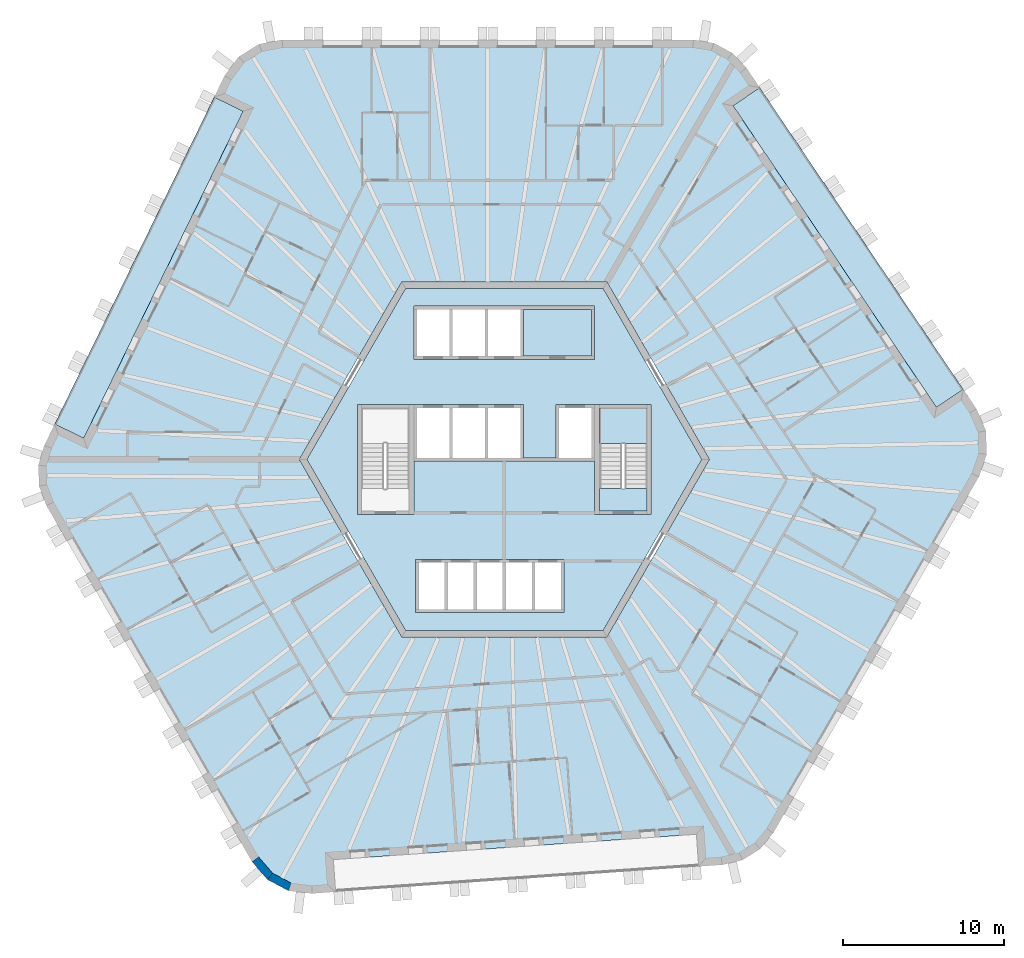
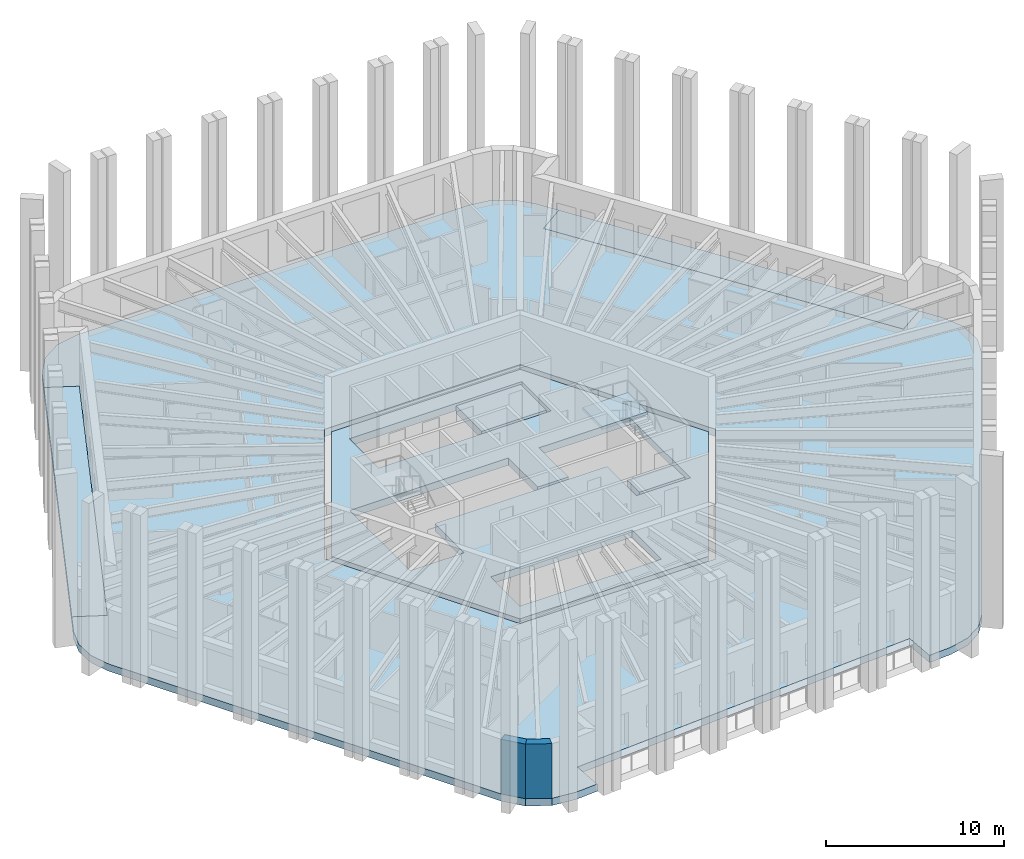
# One storey, part 2 of 13: 7 slabs, 2 walls, 1 element without a shape of its own.
"""IFC4 building model written with IfcOpenShell, lengths in metres."""

from ifc_helpers import new_model, si_unit, direction, frame, origin, place, context, subcontext, project, spatial, polyline, outline, extrude, material, layer, layer_set, type_object, element, aggregate, save


model = new_model("IFC4")

# Units and contexts
model_context = context("Model", 3, precision=1e-05, world=origin(), true_north=direction((0.0, 1.0)))
body_context = subcontext(model_context, "Body", "Model", "MODEL_VIEW")
ifc_project = project(units=[si_unit("LENGTHUNIT", "METRE"), si_unit("AREAUNIT", "SQUARE_METRE"), si_unit("VOLUMEUNIT", "CUBIC_METRE"), si_unit("PLANEANGLEUNIT", "RADIAN"), si_unit("MASSUNIT", "GRAM", prefix="KILO")], contexts=[model_context])

# Site, building, storey
site_placement = place(None, origin())
site = spatial("IfcSite", under=ifc_project, at=site_placement, CompositionType="ELEMENT")
building_placement = place(site_placement, origin())
building = spatial("IfcBuilding", under=site, at=building_placement, Name="Tarnside Tower", CompositionType="ELEMENT")
storey_placement = place(building_placement, frame((0.0, 0.0, 256.199951171875)))
storey = spatial("IfcBuildingStorey", under=building, at=storey_placement, Name="L61", CompositionType="ELEMENT", Elevation=256.199951171875)

# Slabs
ifc_material_1 = material(Name="Concrete C35/45", Category="concrete")
ifc_layer_1 = layer(ifc_material_1, 0.5)
ifc_layer_set_1 = layer_set([ifc_layer_1], Name="Composite floor slab 500")
slab_type_1 = type_object("IfcSlabType", Name="Composite floor slab 500", PredefinedType="FLOOR", material=ifc_layer_set_1)
slab_1_placement = place(storey_placement, frame((0.0, 0.0, -0.5)))
element("IfcSlab", 1, at=slab_1_placement, inside=storey, type_object=slab_type_1, Name="Floor slab L61", PredefinedType="FLOOR", context=body_context, shape_type="SweptSolid", body=[
    extrude(outline(polyline([(12.97900390625, 25.792724609375), (14.12548828125, 25.18310546875), (15.002197265625, 24.253662109375), (15.82470703125, 23.03466796875), (14.16650390625, 21.916259765625), (26.7734375, 3.225830078125), (28.431396484375, 4.34423828125), (29.25537109375, 3.122802734375), (29.8330078125, 1.783447265625), (29.884765625, 0.302001953125), (29.40185546875, -1.074462890625), (16.65771484375, -23.148193359375), (15.84765625, -24.136474609375), (14.74658203125, -24.82470703125), (13.503173828125, -25.119384765625), (12.036376953125, -25.2216796875), (11.896728515625, -23.226806640625), (-10.593017578125, -24.79931640625), (-10.45361328125, -26.79443359375), (-11.92333984375, -26.897216796875), (-13.3720703125, -26.727783203125), (-14.680908203125, -26.031982421875), (-15.63134765625, -24.925537109375), (-28.375732421875, -2.851806640625), (-28.82666015625, -1.65625), (-28.8720703125, -0.358642578125), (-28.505615234375, 0.865478515625), (-27.86083984375, 2.187255859375), (-26.063232421875, 1.310302734375), (-16.180419921875, 21.573486328125), (-17.977783203125, 22.4501953125), (-17.33203125, 23.7744140625), (-16.4609375, 24.944580078125), (-15.203857421875, 25.72998046875), (-13.7705078125, 26.0), (11.718017578125, 26.0), (12.97900390625, 25.792724609375)]), holes=[polyline([(-12.70166015625, 0.0), (-6.350830078125, -11.0), (6.350830078125, -11.0), (12.70166015625, 0.0), (6.350830078125, 11.0), (-6.350830078125, 11.0), (-12.70166015625, 0.0)])]), origin(), (0.0, 0.0, 1.0), 0.5),
])
ifc_material_2 = material(Name="Concrete C60/75", Category="concrete")
ifc_layer_2 = layer(ifc_material_2, 0.5)
ifc_layer_set_2 = layer_set([ifc_layer_2], Name="Core transfer slab C60/75")
slab_type_2 = type_object("IfcSlabType", Name="Core transfer slab C60/75", PredefinedType="FLOOR", material=ifc_layer_set_2)
slab_2_placement = place(storey_placement, frame((0.0, 0.0, -0.5)))
element("IfcSlab", 2, at=slab_2_placement, inside=storey, type_object=slab_type_2, Name="L61 core floor slab 1", PredefinedType="FLOOR", context=body_context, shape_type="SweptSolid", body=[
    extrude(outline(polyline([(6.119873046875, 10.60009765625), (12.23974609375, 0.0), (6.119873046875, -10.60009765625), (-6.119873046875, -10.60009765625), (-12.23974609375, 0.0), (-6.119873046875, 10.60009765625), (6.119873046875, 10.60009765625)]), holes=[polyline([(-5.5, -9.5), (3.699951171875, -9.5), (3.699951171875, -9.300048828125), (3.699951171875, -6.39990234375), (3.699951171875, -6.199951171875), (-5.5, -6.199951171875), (-5.5, -6.39990234375), (-5.5, -9.300048828125), (-5.5, -9.5)]), polyline([(-5.60009765625, -3.39990234375), (-5.60009765625, -0.10009765625), (5.60009765625, -0.10009765625), (5.60009765625, -3.39990234375), (5.89990234375, -3.39990234375), (8.85009765625, -3.39990234375), (8.85009765625, -3.39990234375), (9.10009765625, -3.39990234375), (9.10009765625, 3.39990234375), (8.85009765625, 3.39990234375), (8.85009765625, 3.39990234375), (5.89990234375, 3.39990234375), (5.60009765625, 3.39990234375), (5.60009765625, 3.39990234375), (3.39990234375, 3.39990234375), (3.199951171875, 3.39990234375), (3.199951171875, 0.10009765625), (1.199951171875, 0.10009765625), (1.199951171875, 3.39990234375), (1.0, 3.39990234375), (-5.60009765625, 3.39990234375), (-5.89990234375, 3.39990234375), (-8.85009765625, 3.39990234375), (-8.85009765625, 3.39990234375), (-9.10009765625, 3.39990234375), (-9.10009765625, -3.39990234375), (-8.85009765625, -3.39990234375), (-8.85009765625, -3.39990234375), (-5.89990234375, -3.39990234375), (-5.60009765625, -3.39990234375)]), polyline([(-5.60009765625, 6.199951171875), (5.60009765625, 6.199951171875), (5.60009765625, 6.39990234375), (5.60009765625, 9.300048828125), (5.60009765625, 9.5), (-5.60009765625, 9.5), (-5.60009765625, 9.300048828125), (-5.60009765625, 6.39990234375), (-5.60009765625, 6.199951171875)])]), origin(), (0.0, 0.0, 1.0), 0.5),
])
slab_3_placement = place(storey_placement, frame((0.0, 0.0, -0.5)))
element("IfcSlab", 3, at=slab_3_placement, inside=storey, type_object=slab_type_2, Name="L61 core floor slab 3", PredefinedType="FLOOR", context=body_context, shape_type="SweptSolid", body=[
    extrude(outline(polyline([(5.89990234375, -1.800048828125), (8.85009765625, -1.800048828125), (8.85009765625, -3.199951171875), (5.89990234375, -3.199951171875), (5.89990234375, -1.800048828125)])), origin(), (0.0, 0.0, 1.0), 0.5),
])
slab_4_placement = place(storey_placement, frame((0.0, 0.0, -0.5)))
element("IfcSlab", 4, at=slab_4_placement, inside=storey, type_object=slab_type_2, Name="L61 core floor slab 4", PredefinedType="FLOOR", context=body_context, shape_type="SweptSolid", body=[
    extrude(outline(polyline([(5.39990234375, 6.39990234375), (1.199951171875, 6.39990234375), (1.199951171875, 9.300048828125), (5.39990234375, 9.300048828125), (5.39990234375, 6.39990234375)])), origin(), (0.0, 0.0, 1.0), 0.5),
])
ifc_material_3 = material(Name="Timber decking", Category="wood")
ifc_layer_3 = layer(ifc_material_3, 0.0400390625)
ifc_material_4 = material(Name="Concrete C60/75 precast", Category="concrete")
ifc_layer_4 = layer(ifc_material_4, 0.4599609375)
ifc_layer_set_3 = layer_set([ifc_layer_3, ifc_layer_4], Name="Loggia deck 500")
slab_type_3 = type_object("IfcSlabType", Name="Loggia deck 500", PredefinedType="FLOOR", material=ifc_layer_set_3)
slab_5_placement = place(storey_placement, frame((0.0, 0.0, -0.5)))
element("IfcSlab", 5, at=slab_5_placement, inside=storey, type_object=slab_type_3, Name="Loggia deck L61 F2", PredefinedType="FLOOR", context=body_context, shape_type="SweptSolid", body=[
    extrude(outline(polyline([(-16.180419921875, 21.573486328125), (-26.063232421875, 1.310302734375), (-27.86083984375, 2.187255859375), (-17.97802734375, 22.4501953125), (-16.180419921875, 21.573486328125)])), origin(), (0.0, 0.0, 1.0), 0.5),
])
slab_6_placement = place(storey_placement, frame((0.0, 0.0, -0.5)))
element("IfcSlab", 6, at=slab_6_placement, inside=storey, type_object=slab_type_3, Name="Loggia deck L61 F6", PredefinedType="FLOOR", context=body_context, shape_type="SweptSolid", body=[
    extrude(outline(polyline([(26.7734375, 3.225830078125), (14.16650390625, 21.916259765625), (15.82470703125, 23.03466796875), (28.431396484375, 4.34423828125), (26.7734375, 3.225830078125)])), origin(), (0.0, 0.0, 1.0), 0.5),
])

# Stair, slab
ifc_material_5 = material(Name="Concrete C40/50", Category="concrete")
stair_type = type_object("IfcStairType", Name="Exit stair 1400 clear", PredefinedType="HALF_TURN_STAIR", material=ifc_material_5)
stair_placement = place(storey_placement, origin())
stair = element("IfcStair", 7, at=stair_placement, inside=storey, type_object=stair_type, Name="L61 Exit stair 1", PredefinedType="HALF_TURN_STAIR")
ifc_layer_5 = layer(ifc_material_5, 0.199951171875)
ifc_layer_set_4 = layer_set([ifc_layer_5], Name="Stair landing 200 C40/50")
slab_type_4 = type_object("IfcSlabType", Name="Stair landing 200 C40/50", PredefinedType="LANDING", material=ifc_layer_set_4)
slab_7_placement = place(storey_placement, frame((0.0, 0.0, 1.75)))
slab_7 = element("IfcSlab", 8, at=slab_7_placement, type_object=slab_type_4, Name="ST1 landing 1", PredefinedType="LANDING", context=body_context, shape_type="SweptSolid", body=[
    extrude(outline(polyline([(8.85009765625, 1.0), (8.85009765625, 3.199951171875), (5.89990234375, 3.199951171875), (5.89990234375, 1.0), (8.85009765625, 1.0)])), origin(), (0.0, 0.0, 1.0), 0.199951171875),
])
aggregate(stair, [slab_7])

# Walls
ifc_material_6 = material(Name="Facing brick", Category="masonry")
ifc_layer_6 = layer(ifc_material_6, 0.10205078125)
ifc_layer_7 = layer(ifc_material_4, 0.298095703125)
ifc_material_7 = material(Name="Mineral wool insulation")
ifc_layer_8 = layer(ifc_material_7, 0.10009765625)
ifc_layer_set_5 = layer_set([ifc_layer_6, ifc_layer_7, ifc_layer_8], Name="Tube wall 500 brick faced")
wall_type = type_object("IfcWallType", Name="Tube wall 500 brick faced", PredefinedType="SOLIDWALL", material=ifc_layer_set_5)
wall_1_placement = place(storey_placement, frame((-15.426513671875, -24.7802734375, 0.0), z_axis=(0.0, 0.0, 1.0), x_axis=(0.651616566281, -0.758548515619, 0.0)))
element("IfcWall", 9, at=wall_1_placement, inside=storey, type_object=wall_type, Name="Tube wall L61 F3 chord 13", PredefinedType="SOLIDWALL", context=body_context, shape_type="SweptSolid", body=[
    extrude(outline(polyline([(-0.0234375, -0.25), (1.435302734375, -0.25), (1.341064453125, 0.25), (0.0234375, 0.25), (-0.0234375, -0.25)])), origin(), (0.0, 0.0, 1.0), 3.75),
])
wall_2_placement = place(storey_placement, frame((-14.52197265625, -25.833251953125, 0.0), z_axis=(0.0, 0.0, 1.0), x_axis=(0.882926676147, -0.469510899286, 0.0)))
element("IfcWall", 10, at=wall_2_placement, inside=storey, type_object=wall_type, Name="Tube wall L61 F3 chord 14", PredefinedType="SOLIDWALL", context=body_context, shape_type="SweptSolid", body=[
    extrude(outline(polyline([(-0.047119140625, -0.25), (1.435546875, -0.25), (1.34130859375, 0.25), (0.047119140625, 0.25), (-0.047119140625, -0.25)])), origin(), (0.0, 0.0, 1.0), 3.75),
])

save(model, "model.ifc")
